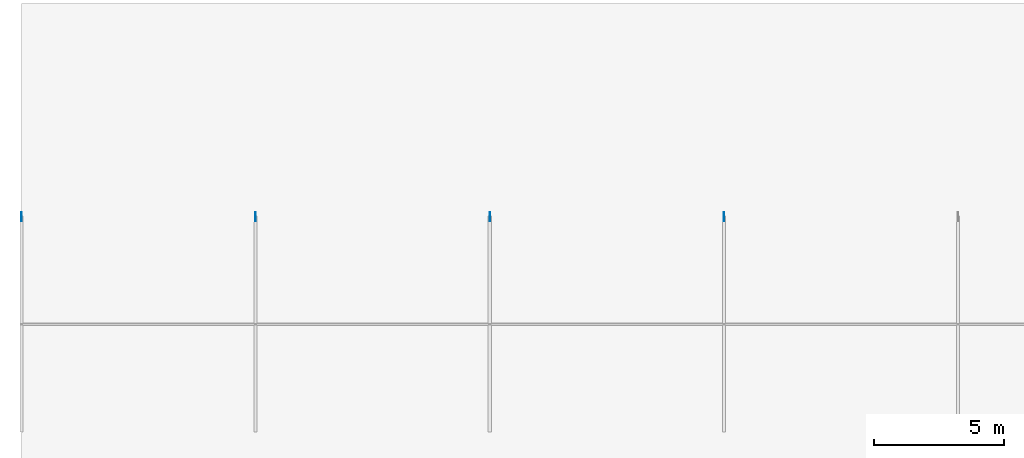
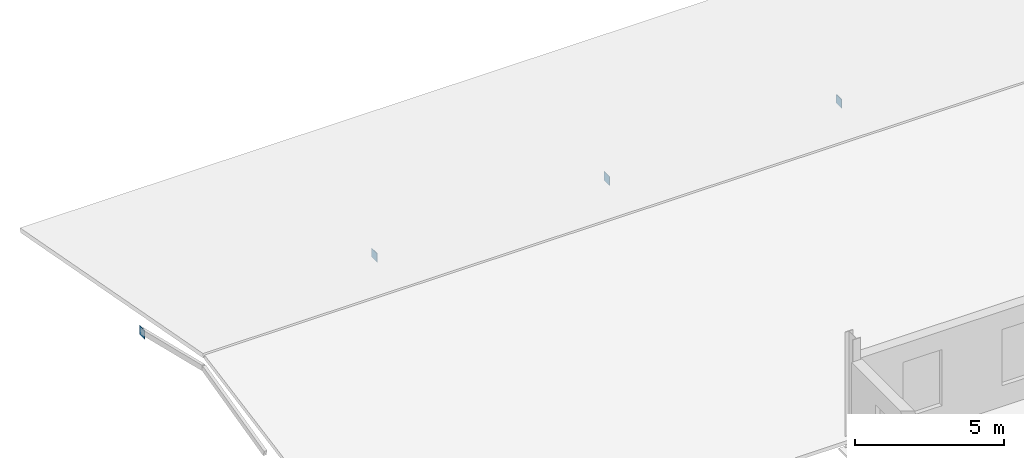
# One storey, part 16 of 35: 4 plates.
"""IFC4 building model written with IfcOpenShell, lengths in metres."""

from ifc_helpers import new_model, si_unit, direction, frame, origin, origin_2d, place, context, subcontext, project, spatial, rectangle, extrude, material, layer, layer_set, type_object, element, save


model = new_model("IFC4")

# Units and contexts
model_context = context("Model", 3, precision=1e-05, world=origin(), true_north=direction((0.0, 1.0)))
body_context = subcontext(model_context, "Body", "Model", "MODEL_VIEW")
ifc_project = project(units=[si_unit("LENGTHUNIT", "METRE"), si_unit("AREAUNIT", "SQUARE_METRE"), si_unit("VOLUMEUNIT", "CUBIC_METRE"), si_unit("PLANEANGLEUNIT", "RADIAN"), si_unit("MASSUNIT", "GRAM", prefix="KILO")], contexts=[model_context])

# Site, building, storey
site_placement = place(None, origin())
site = spatial("IfcSite", under=ifc_project, at=site_placement, CompositionType="ELEMENT")
building_placement = place(site_placement, origin())
building = spatial("IfcBuilding", under=site, at=building_placement, Name="Sundgate Opera House", CompositionType="ELEMENT")
storey_placement = place(building_placement, frame((0.0, 0.0, 21.60009765625)))
storey = spatial("IfcBuildingStorey", under=building, at=storey_placement, Name="L04", CompositionType="ELEMENT", Elevation=21.60009765625)

# Plates
ifc_material = material(Name="Steel S355J2", Category="steel")
ifc_layer = layer(ifc_material, 0.02001953125)
ifc_layer_set = layer_set([ifc_layer], Name="Steel S355J2")
plate_type = type_object("IfcPlateType", Name="PT-GUS-20", PredefinedType="USERDEFINED", material=ifc_layer_set)
for number, where, z_axis, x_axis, name in (
    (1, (9.0, 103.5, 1.02001953125), (0.0, 0.0, 1.0), (1.0, 0.0, 0.0), "L04 Atelier Brace Top Gusset"),
    (2, (18.0, 103.5, 1.02001953125), (0.0, 0.0, 1.0), (1.0, 0.0, 0.0), "L04 Atelier Brace Top Gusset"),
    (3, (27.0, 103.5, 1.02001953125), (0.0, 0.0, 1.0), (1.0, 0.0, 0.0), "L04 Atelier Brace Top Gusset"),
    (4, (36.0, 103.5, 1.02001953125), (0.0, 0.0, 1.0), (1.0, 0.0, 0.0), "L04 Atelier Brace Top Gusset"),
):
    element("IfcPlate", number, at=place(storey_placement, frame(where, z_axis=z_axis, x_axis=x_axis)), inside=storey, type_object=plate_type, Name=name, ObjectType="GUSSET PLATE", PredefinedType="USERDEFINED", context=body_context, shape_type="SweptSolid", body=[
        extrude(rectangle(XDim=0.02001953125, YDim=0.360107421875, at=origin_2d()), origin(), (0.0, 0.0, 1.0), 0.360107421875),
    ])

save(model, "model.ifc")
